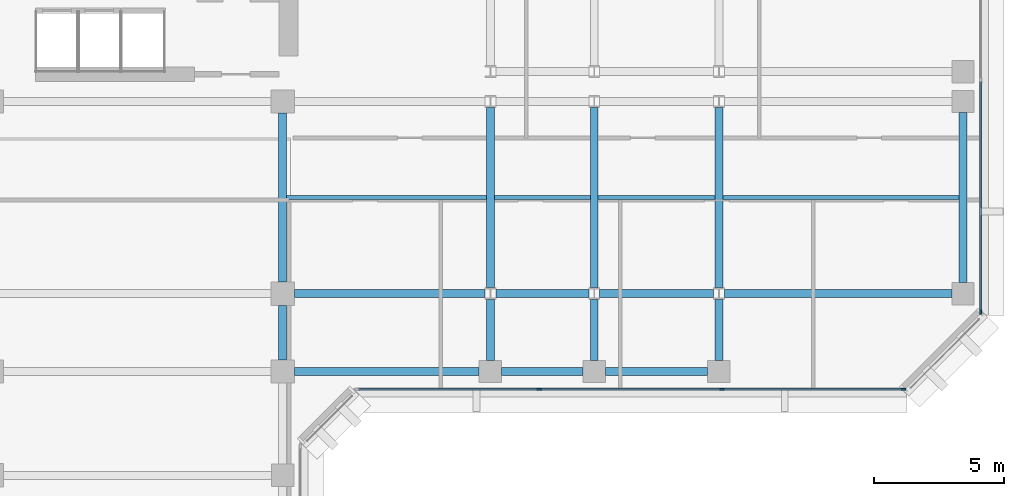
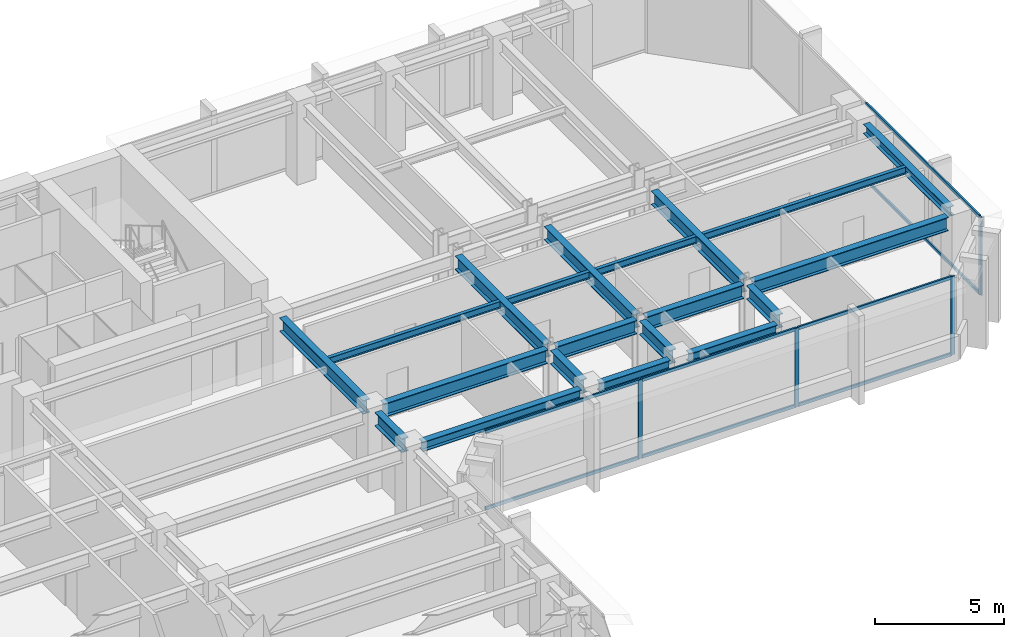
# One storey, part 3 of 11: 20 beams, 12 members, 2 elements without a shape of their own.
"""IFC4 building model written with IfcOpenShell, lengths in metres."""

from ifc_helpers import new_model, si_unit, direction, frame, origin, origin_2d, place, context, subcontext, project, spatial, rectangle, i_section, extrude, material, layer, layer_set, material_profile, profile_set, type_object, element, aggregate, save


model = new_model("IFC4")

# Units and contexts
model_context = context("Model", 3, precision=1e-05, world=origin(), true_north=direction((0.0, 1.0)))
body_context = subcontext(model_context, "Body", "Model", "MODEL_VIEW")
ifc_project = project(units=[si_unit("LENGTHUNIT", "METRE"), si_unit("AREAUNIT", "SQUARE_METRE"), si_unit("VOLUMEUNIT", "CUBIC_METRE"), si_unit("PLANEANGLEUNIT", "RADIAN"), si_unit("MASSUNIT", "GRAM", prefix="KILO")], contexts=[model_context])

# Site, building, storey
site_placement = place(None, origin())
site = spatial("IfcSite", under=ifc_project, at=site_placement, CompositionType="ELEMENT")
building_placement = place(site_placement, origin())
building = spatial("IfcBuilding", under=site, at=building_placement, Name="Kefirva Bronze Tower", CompositionType="ELEMENT")
storey_placement = place(building_placement, frame((0.0, 0.0, 154.77001953125)))
storey = spatial("IfcBuildingStorey", under=building, at=storey_placement, Name="L37", CompositionType="ELEMENT", Elevation=154.77001953125)

# Curtain wall, members
ifc_material_1 = material(Name="Bronze anodised aluminium", Category="aluminium")
ifc_layer = layer(ifc_material_1, 0.199951171875, Name="Bronze anodised aluminium")
ifc_layer_set = layer_set([ifc_layer], Name="Bronze anodised aluminium")
curtain_wall_type = type_object("IfcCurtainWallType", Name="Unitised Bronze Ribbon Curtain Wall Zone 2", PredefinedType="USERDEFINED", material=ifc_layer_set)
curtain_wall_1_placement = place(storey_placement, origin())
curtain_wall_1 = element("IfcCurtainWall", 1, at=curtain_wall_1_placement, inside=storey, type_object=curtain_wall_type, Name="L37 Curtain Wall 3", ObjectType="UNITISED CURTAIN WALL", PredefinedType="USERDEFINED")
ifc_material_profile_1 = material_profile(ifc_material_1, rectangle(XDim=0.074951171875, YDim=0.179931640625, at=origin_2d()), Name="ALU 75x180")
ifc_profile_set_1 = profile_set([ifc_material_profile_1], Name="Bronze anodised aluminium")
member_type_1 = type_object("IfcMemberType", Name="Bronze Mullion 75x180", PredefinedType="MULLION", material=ifc_profile_set_1)
member_1_placement = place(storey_placement, frame((33.0849609375, 22.1201171875, 0.0), z_axis=(0.0, 0.0, 1.0), x_axis=(0.0, 1.0, 0.0)))
member_1 = element("IfcMember", 2, at=member_1_placement, type_object=member_type_1, Name="CW-02 mullion 2", PredefinedType="MULLION", context=body_context, shape_type="SweptSolid", body=[
    extrude(rectangle(XDim=0.074951171875, YDim=0.179931640625, at=origin_2d()), origin(), (0.0, 0.0, 1.0), 3.7099609375),
])
member_2_placement = place(storey_placement, frame((40.114990234375, 22.1201171875, 0.0), z_axis=(0.0, 0.0, 1.0), x_axis=(0.0, 1.0, 0.0)))
member_2 = element("IfcMember", 3, at=member_2_placement, type_object=member_type_1, Name="CW-02 mullion 3", PredefinedType="MULLION", context=body_context, shape_type="SweptSolid", body=[
    extrude(rectangle(XDim=0.074951171875, YDim=0.179931640625, at=origin_2d()), origin(), (0.0, 0.0, 1.0), 3.7099609375),
])
member_3_placement = place(storey_placement, frame((47.107421875, 22.1201171875, 0.0), z_axis=(0.0, 0.0, 1.0), x_axis=(0.0, 1.0, 0.0)))
member_3 = element("IfcMember", 4, at=member_3_placement, type_object=member_type_1, Name="CW-02 mullion 4", PredefinedType="MULLION", context=body_context, shape_type="SweptSolid", body=[
    extrude(rectangle(XDim=0.074951171875, YDim=0.179931640625, at=origin_2d()), origin(), (0.0, 0.0, 1.0), 3.7099609375),
])

# Curtain wall, member
curtain_wall_2_placement = place(storey_placement, origin())
curtain_wall_2 = element("IfcCurtainWall", 5, at=curtain_wall_2_placement, inside=storey, type_object=curtain_wall_type, Name="L37 Curtain Wall 4", ObjectType="UNITISED CURTAIN WALL", PredefinedType="USERDEFINED")
member_4_placement = place(storey_placement, frame((50.080078125, 25.092529296875, 0.0), z_axis=(0.0, 0.0, 1.0), x_axis=(-1.0, 0.0, 0.0)))
member_4 = element("IfcMember", 6, at=member_4_placement, type_object=member_type_1, Name="CW-02 mullion 1", PredefinedType="MULLION", context=body_context, shape_type="SweptSolid", body=[
    extrude(rectangle(XDim=0.074951171875, YDim=0.179931640625, at=origin_2d()), origin(), (0.0, 0.0, 1.0), 3.7099609375),
])

# Member
ifc_material_profile_2 = material_profile(ifc_material_1, rectangle(XDim=0.074951171875, YDim=0.14990234375, at=origin_2d()), Name="ALU 75x150")
ifc_profile_set_2 = profile_set([ifc_material_profile_2], Name="Bronze anodised aluminium")
member_type_2 = type_object("IfcMemberType", Name="Bronze Transom 75x150", PredefinedType="USERDEFINED", material=ifc_profile_set_2)
member_5_placement = place(storey_placement, frame((26.1298828125, 22.1201171875, 0.03759765625), z_axis=(1.0, 0.0, 0.0), x_axis=(0.0, 1.0, 0.0)))
member_5 = element("IfcMember", 7, at=member_5_placement, type_object=member_type_2, Name="CW-02 transom 1.1", ObjectType="TRANSOM", PredefinedType="USERDEFINED", context=body_context, shape_type="SweptSolid", body=[
    extrude(rectangle(XDim=0.074951171875, YDim=0.14990234375, at=origin_2d()), origin(), (0.0, 0.0, 1.0), 6.917724609375),
])

member_6_placement = place(storey_placement, frame((26.1298828125, 22.1201171875, 3.67236328125), z_axis=(1.0, 0.0, 0.0), x_axis=(0.0, 1.0, 0.0)))
member_6 = element("IfcMember", 8, at=member_6_placement, type_object=member_type_2, Name="CW-02 transom 1.2", ObjectType="TRANSOM", PredefinedType="USERDEFINED", context=body_context, shape_type="SweptSolid", body=[
    extrude(rectangle(XDim=0.074951171875, YDim=0.14990234375, at=origin_2d()), origin(), (0.0, 0.0, 1.0), 6.917724609375),
])

member_7_placement = place(storey_placement, frame((33.12255859375, 22.1201171875, 0.03759765625), z_axis=(1.0, 0.0, 0.0), x_axis=(0.0, 1.0, 0.0)))
member_7 = element("IfcMember", 9, at=member_7_placement, type_object=member_type_2, Name="CW-02 transom 2.1", ObjectType="TRANSOM", PredefinedType="USERDEFINED", context=body_context, shape_type="SweptSolid", body=[
    extrude(rectangle(XDim=0.074951171875, YDim=0.14990234375, at=origin_2d()), origin(), (0.0, 0.0, 1.0), 6.954833984375),
])

member_8_placement = place(storey_placement, frame((33.12255859375, 22.1201171875, 3.67236328125), z_axis=(1.0, 0.0, 0.0), x_axis=(0.0, 1.0, 0.0)))
member_8 = element("IfcMember", 10, at=member_8_placement, type_object=member_type_2, Name="CW-02 transom 2.2", ObjectType="TRANSOM", PredefinedType="USERDEFINED", context=body_context, shape_type="SweptSolid", body=[
    extrude(rectangle(XDim=0.074951171875, YDim=0.14990234375, at=origin_2d()), origin(), (0.0, 0.0, 1.0), 6.954833984375),
])

member_9_placement = place(storey_placement, frame((40.152587890625, 22.1201171875, 0.03759765625), z_axis=(1.0, 0.0, 0.0), x_axis=(0.0, 1.0, 0.0)))
member_9 = element("IfcMember", 11, at=member_9_placement, type_object=member_type_2, Name="CW-02 transom 3.1", ObjectType="TRANSOM", PredefinedType="USERDEFINED", context=body_context, shape_type="SweptSolid", body=[
    extrude(rectangle(XDim=0.074951171875, YDim=0.14990234375, at=origin_2d()), origin(), (0.0, 0.0, 1.0), 6.91748046875),
])

member_10_placement = place(storey_placement, frame((40.152587890625, 22.1201171875, 3.67236328125), z_axis=(1.0, 0.0, 0.0), x_axis=(0.0, 1.0, 0.0)))
member_10 = element("IfcMember", 12, at=member_10_placement, type_object=member_type_2, Name="CW-02 transom 3.2", ObjectType="TRANSOM", PredefinedType="USERDEFINED", context=body_context, shape_type="SweptSolid", body=[
    extrude(rectangle(XDim=0.074951171875, YDim=0.14990234375, at=origin_2d()), origin(), (0.0, 0.0, 1.0), 6.91748046875),
])

aggregate(curtain_wall_1, [member_1, member_2, member_3, member_5, member_6, member_7, member_8, member_9, member_10])

member_11_placement = place(storey_placement, frame((50.080078125, 25.1298828125, 0.03759765625), z_axis=(0.0, 1.0, 0.0), x_axis=(-1.0, 0.0, 0.0)))
member_11 = element("IfcMember", 13, at=member_11_placement, type_object=member_type_2, Name="CW-02 transom 1.1", ObjectType="TRANSOM", PredefinedType="USERDEFINED", context=body_context, shape_type="SweptSolid", body=[
    extrude(rectangle(XDim=0.074951171875, YDim=0.14990234375, at=origin_2d()), origin(), (0.0, 0.0, 1.0), 8.83251953125),
])

member_12_placement = place(storey_placement, frame((50.080078125, 25.1298828125, 3.67236328125), z_axis=(0.0, 1.0, 0.0), x_axis=(-1.0, 0.0, 0.0)))
member_12 = element("IfcMember", 14, at=member_12_placement, type_object=member_type_2, Name="CW-02 transom 1.2", ObjectType="TRANSOM", PredefinedType="USERDEFINED", context=body_context, shape_type="SweptSolid", body=[
    extrude(rectangle(XDim=0.074951171875, YDim=0.14990234375, at=origin_2d()), origin(), (0.0, 0.0, 1.0), 8.83251953125),
])

aggregate(curtain_wall_2, [member_4, member_11, member_12])

# Beams
ifc_material_2 = material(Name="Steel S355", Category="steel")
ifc_material_profile_3 = material_profile(ifc_material_2, i_section(OverallWidth=0.159912109375, OverallDepth=0.330078125, WebThickness=0.007568359375, FlangeThickness=0.011474609375, at=origin_2d()), Name="IPE 330")
ifc_profile_set_3 = profile_set([ifc_material_profile_3], Name="Steel S355")
beam_type_1 = type_object("IfcBeamType", Name="Steel Floor Joist IPE 330", PredefinedType="JOIST", material=ifc_profile_set_3)
beam_1_placement = place(storey_placement, frame((23.35009765625, 29.5, 3.544921875), z_axis=(1.0, 0.0, 0.0), x_axis=(0.0, 1.0, 0.0)))
element("IfcBeam", 15, at=beam_1_placement, inside=storey, type_object=beam_type_1, Name="L37 JST-L37-23-295", PredefinedType="JOIST", context=body_context, shape_type="SweptSolid", body=[
    extrude(i_section(OverallWidth=0.159912109375, OverallDepth=0.330078125, WebThickness=0.007568359375, FlangeThickness=0.011474609375, at=origin_2d()), origin(), (0.0, 0.0, 1.0), 7.699951171875),
])
beam_2_placement = place(storey_placement, frame((31.35009765625, 29.5, 3.544921875), z_axis=(1.0, 0.0, 0.0), x_axis=(0.0, 1.0, 0.0)))
element("IfcBeam", 16, at=beam_2_placement, inside=storey, type_object=beam_type_1, Name="L37 JST-L37-31-295", PredefinedType="JOIST", context=body_context, shape_type="SweptSolid", body=[
    extrude(i_section(OverallWidth=0.159912109375, OverallDepth=0.330078125, WebThickness=0.007568359375, FlangeThickness=0.011474609375, at=origin_2d()), origin(), (0.0, 0.0, 1.0), 3.699951171875),
])
beam_3_placement = place(storey_placement, frame((35.35009765625, 29.5, 3.544921875), z_axis=(1.0, 0.0, 0.0), x_axis=(0.0, 1.0, 0.0)))
element("IfcBeam", 17, at=beam_3_placement, inside=storey, type_object=beam_type_1, Name="L37 JST-L37-35-295", PredefinedType="JOIST", context=body_context, shape_type="SweptSolid", body=[
    extrude(i_section(OverallWidth=0.159912109375, OverallDepth=0.330078125, WebThickness=0.007568359375, FlangeThickness=0.011474609375, at=origin_2d()), origin(), (0.0, 0.0, 1.0), 4.5),
])
beam_4_placement = place(storey_placement, frame((40.14990234375, 29.5, 3.544921875), z_axis=(1.0, 0.0, 0.0), x_axis=(0.0, 1.0, 0.0)))
element("IfcBeam", 18, at=beam_4_placement, inside=storey, type_object=beam_type_1, Name="L37 JST-L37-40-295", PredefinedType="JOIST", context=body_context, shape_type="SweptSolid", body=[
    extrude(i_section(OverallWidth=0.159912109375, OverallDepth=0.330078125, WebThickness=0.007568359375, FlangeThickness=0.011474609375, at=origin_2d()), origin(), (0.0, 0.0, 1.0), 9.10009765625),
])
ifc_material_profile_4 = material_profile(ifc_material_2, i_section(OverallWidth=0.300048828125, OverallDepth=0.64990234375, WebThickness=0.01611328125, FlangeThickness=0.031005859375, at=origin_2d()), Name="HEB 650")
ifc_profile_set_4 = profile_set([ifc_material_profile_4], Name="Steel S355")
beam_type_2 = type_object("IfcBeamType", Name="Steel Girder HEB 650", PredefinedType="USERDEFINED", material=ifc_profile_set_4)
beam_5_placement = place(storey_placement, frame((23.64990234375, 25.800048828125, 3.385009765625), z_axis=(1.0, 0.0, 0.0), x_axis=(0.0, 1.0, 0.0)))
element("IfcBeam", 19, at=beam_5_placement, inside=storey, type_object=beam_type_2, Name="L37 BM-L37-EW-23-258", ObjectType="GIRDER", PredefinedType="USERDEFINED", context=body_context, shape_type="SweptSolid", body=[
    extrude(i_section(OverallWidth=0.300048828125, OverallDepth=0.64990234375, WebThickness=0.01611328125, FlangeThickness=0.031005859375, at=origin_2d()), origin(), (0.0, 0.0, 1.0), 7.341064453125),
])
beam_6_placement = place(storey_placement, frame((31.408935546875, 25.800048828125, 3.385009765625), z_axis=(1.0, 0.0, 0.0), x_axis=(0.0, 1.0, 0.0)))
element("IfcBeam", 20, at=beam_6_placement, inside=storey, type_object=beam_type_2, Name="L37 BM-L37-EW-31-258", ObjectType="GIRDER", PredefinedType="USERDEFINED", context=body_context, shape_type="SweptSolid", body=[
    extrude(i_section(OverallWidth=0.300048828125, OverallDepth=0.64990234375, WebThickness=0.01611328125, FlangeThickness=0.031005859375, at=origin_2d()), origin(), (0.0, 0.0, 1.0), 3.58203125),
])
beam_7_placement = place(storey_placement, frame((35.408935546875, 25.800048828125, 3.385009765625), z_axis=(1.0, 0.0, 0.0), x_axis=(0.0, 1.0, 0.0)))
element("IfcBeam", 21, at=beam_7_placement, inside=storey, type_object=beam_type_2, Name="L37 BM-L37-EW-35-258", ObjectType="GIRDER", PredefinedType="USERDEFINED", context=body_context, shape_type="SweptSolid", body=[
    extrude(i_section(OverallWidth=0.300048828125, OverallDepth=0.64990234375, WebThickness=0.01611328125, FlangeThickness=0.031005859375, at=origin_2d()), origin(), (0.0, 0.0, 1.0), 4.382080078125),
])
beam_8_placement = place(storey_placement, frame((40.208984375, 25.800048828125, 3.385009765625), z_axis=(1.0, 0.0, 0.0), x_axis=(0.0, 1.0, 0.0)))
element("IfcBeam", 22, at=beam_8_placement, inside=storey, type_object=beam_type_2, Name="L37 BM-L37-EW-40-258", ObjectType="GIRDER", PredefinedType="USERDEFINED", context=body_context, shape_type="SweptSolid", body=[
    extrude(i_section(OverallWidth=0.300048828125, OverallDepth=0.64990234375, WebThickness=0.01611328125, FlangeThickness=0.031005859375, at=origin_2d()), origin(), (0.0, 0.0, 1.0), 8.760986328125),
])
beam_9_placement = place(storey_placement, frame((23.199951171875, 23.25, 3.385009765625), z_axis=(0.0, 1.0, 0.0), x_axis=(-1.0, 0.0, 0.0)))
element("IfcBeam", 23, at=beam_9_placement, inside=storey, type_object=beam_type_2, Name="L37 BM-L37-NS-232-22", ObjectType="GIRDER", PredefinedType="USERDEFINED", context=body_context, shape_type="SweptSolid", body=[
    extrude(i_section(OverallWidth=0.300048828125, OverallDepth=0.64990234375, WebThickness=0.01611328125, FlangeThickness=0.031005859375, at=origin_2d()), origin(), (0.0, 0.0, 1.0), 2.10009765625),
])
beam_10_placement = place(storey_placement, frame((23.199951171875, 26.25, 3.385009765625), z_axis=(0.0, 1.0, 0.0), x_axis=(-1.0, 0.0, 0.0)))
element("IfcBeam", 24, at=beam_10_placement, inside=storey, type_object=beam_type_2, Name="L37 BM-L37-NS-232-25", ObjectType="GIRDER", PredefinedType="USERDEFINED", context=body_context, shape_type="SweptSolid", body=[
    extrude(i_section(OverallWidth=0.300048828125, OverallDepth=0.64990234375, WebThickness=0.01611328125, FlangeThickness=0.031005859375, at=origin_2d()), origin(), (0.0, 0.0, 1.0), 6.5),
])
beam_11_placement = place(storey_placement, frame((31.199951171875, 23.22998046875, 3.385009765625), z_axis=(0.0, 1.0, 0.0), x_axis=(-1.0, 0.0, 0.0)))
element("IfcBeam", 25, at=beam_11_placement, inside=storey, type_object=beam_type_2, Name="L37 BM-L37-NS-312-22", ObjectType="GIRDER", PredefinedType="USERDEFINED", context=body_context, shape_type="SweptSolid", body=[
    extrude(i_section(OverallWidth=0.300048828125, OverallDepth=0.64990234375, WebThickness=0.01611328125, FlangeThickness=0.031005859375, at=origin_2d()), origin(), (0.0, 0.0, 1.0), 2.342529296875),
])
beam_12_placement = place(storey_placement, frame((31.199951171875, 26.027587890625, 3.385009765625), z_axis=(0.0, 1.0, 0.0), x_axis=(-1.0, 0.0, 0.0)))
element("IfcBeam", 26, at=beam_12_placement, inside=storey, type_object=beam_type_2, Name="L37 BM-L37-NS-312-25", ObjectType="GIRDER", PredefinedType="USERDEFINED", context=body_context, shape_type="SweptSolid", body=[
    extrude(i_section(OverallWidth=0.300048828125, OverallDepth=0.64990234375, WebThickness=0.01611328125, FlangeThickness=0.031005859375, at=origin_2d()), origin(), (0.0, 0.0, 1.0), 6.94482421875),
])
beam_13_placement = place(storey_placement, frame((35.199951171875, 23.22998046875, 3.385009765625), z_axis=(0.0, 1.0, 0.0), x_axis=(-1.0, 0.0, 0.0)))
element("IfcBeam", 27, at=beam_13_placement, inside=storey, type_object=beam_type_2, Name="L37 BM-L37-NS-352-22", ObjectType="GIRDER", PredefinedType="USERDEFINED", context=body_context, shape_type="SweptSolid", body=[
    extrude(i_section(OverallWidth=0.300048828125, OverallDepth=0.64990234375, WebThickness=0.01611328125, FlangeThickness=0.031005859375, at=origin_2d()), origin(), (0.0, 0.0, 1.0), 2.342529296875),
])
beam_14_placement = place(storey_placement, frame((35.199951171875, 26.027587890625, 3.385009765625), z_axis=(0.0, 1.0, 0.0), x_axis=(-1.0, 0.0, 0.0)))
element("IfcBeam", 28, at=beam_14_placement, inside=storey, type_object=beam_type_2, Name="L37 BM-L37-NS-352-25", ObjectType="GIRDER", PredefinedType="USERDEFINED", context=body_context, shape_type="SweptSolid", body=[
    extrude(i_section(OverallWidth=0.300048828125, OverallDepth=0.64990234375, WebThickness=0.01611328125, FlangeThickness=0.031005859375, at=origin_2d()), origin(), (0.0, 0.0, 1.0), 6.94482421875),
])
beam_15_placement = place(storey_placement, frame((40.0, 23.22998046875, 3.385009765625), z_axis=(0.0, 1.0, 0.0), x_axis=(-1.0, 0.0, 0.0)))
element("IfcBeam", 29, at=beam_15_placement, inside=storey, type_object=beam_type_2, Name="L37 BM-L37-NS-400-22", ObjectType="GIRDER", PredefinedType="USERDEFINED", context=body_context, shape_type="SweptSolid", body=[
    extrude(i_section(OverallWidth=0.300048828125, OverallDepth=0.64990234375, WebThickness=0.01611328125, FlangeThickness=0.031005859375, at=origin_2d()), origin(), (0.0, 0.0, 1.0), 2.342529296875),
])
beam_16_placement = place(storey_placement, frame((40.0, 26.027587890625, 3.385009765625), z_axis=(0.0, 1.0, 0.0), x_axis=(-1.0, 0.0, 0.0)))
element("IfcBeam", 30, at=beam_16_placement, inside=storey, type_object=beam_type_2, Name="L37 BM-L37-NS-400-25", ObjectType="GIRDER", PredefinedType="USERDEFINED", context=body_context, shape_type="SweptSolid", body=[
    extrude(i_section(OverallWidth=0.300048828125, OverallDepth=0.64990234375, WebThickness=0.01611328125, FlangeThickness=0.031005859375, at=origin_2d()), origin(), (0.0, 0.0, 1.0), 6.94482421875),
])
ifc_material_profile_5 = material_profile(ifc_material_2, i_section(OverallWidth=0.300048828125, OverallDepth=0.449951171875, WebThickness=0.013916015625, FlangeThickness=0.02587890625, at=origin_2d()), Name="HEB 450")
ifc_profile_set_5 = profile_set([ifc_material_profile_5], Name="Steel S355")
beam_type_3 = type_object("IfcBeamType", Name="Steel Spandrel HEB 450 Ext", PredefinedType="SPANDREL", material=ifc_profile_set_5)
beam_17_placement = place(storey_placement, frame((23.64990234375, 22.800048828125, 3.48486328125), z_axis=(1.0, 0.0, 0.0), x_axis=(0.0, 1.0, 0.0)))
element("IfcBeam", 31, at=beam_17_placement, inside=storey, type_object=beam_type_3, Name="L37 BM-L37-EW-23-228", PredefinedType="SPANDREL", context=body_context, shape_type="SweptSolid", body=[
    extrude(i_section(OverallWidth=0.300048828125, OverallDepth=0.449951171875, WebThickness=0.013916015625, FlangeThickness=0.02587890625, at=origin_2d()), origin(), (0.0, 0.0, 1.0), 7.1201171875),
])
beam_18_placement = place(storey_placement, frame((31.6298828125, 22.800048828125, 3.48486328125), z_axis=(1.0, 0.0, 0.0), x_axis=(0.0, 1.0, 0.0)))
element("IfcBeam", 32, at=beam_18_placement, inside=storey, type_object=beam_type_3, Name="L37 BM-L37-EW-31-228", PredefinedType="SPANDREL", context=body_context, shape_type="SweptSolid", body=[
    extrude(i_section(OverallWidth=0.300048828125, OverallDepth=0.449951171875, WebThickness=0.013916015625, FlangeThickness=0.02587890625, at=origin_2d()), origin(), (0.0, 0.0, 1.0), 3.14013671875),
])
beam_19_placement = place(storey_placement, frame((35.6298828125, 22.800048828125, 3.48486328125), z_axis=(1.0, 0.0, 0.0), x_axis=(0.0, 1.0, 0.0)))
element("IfcBeam", 33, at=beam_19_placement, inside=storey, type_object=beam_type_3, Name="L37 BM-L37-EW-35-228", PredefinedType="SPANDREL", context=body_context, shape_type="SweptSolid", body=[
    extrude(i_section(OverallWidth=0.300048828125, OverallDepth=0.449951171875, WebThickness=0.013916015625, FlangeThickness=0.02587890625, at=origin_2d()), origin(), (0.0, 0.0, 1.0), 3.940185546875),
])
beam_20_placement = place(storey_placement, frame((49.39990234375, 26.22998046875, 3.48486328125), z_axis=(0.0, 1.0, 0.0), x_axis=(-1.0, 0.0, 0.0)))
element("IfcBeam", 34, at=beam_20_placement, inside=storey, type_object=beam_type_3, Name="L37 BM-L37-NS-494-25", PredefinedType="SPANDREL", context=body_context, shape_type="SweptSolid", body=[
    extrude(i_section(OverallWidth=0.300048828125, OverallDepth=0.449951171875, WebThickness=0.013916015625, FlangeThickness=0.02587890625, at=origin_2d()), origin(), (0.0, 0.0, 1.0), 6.5400390625),
])

save(model, "model.ifc")
